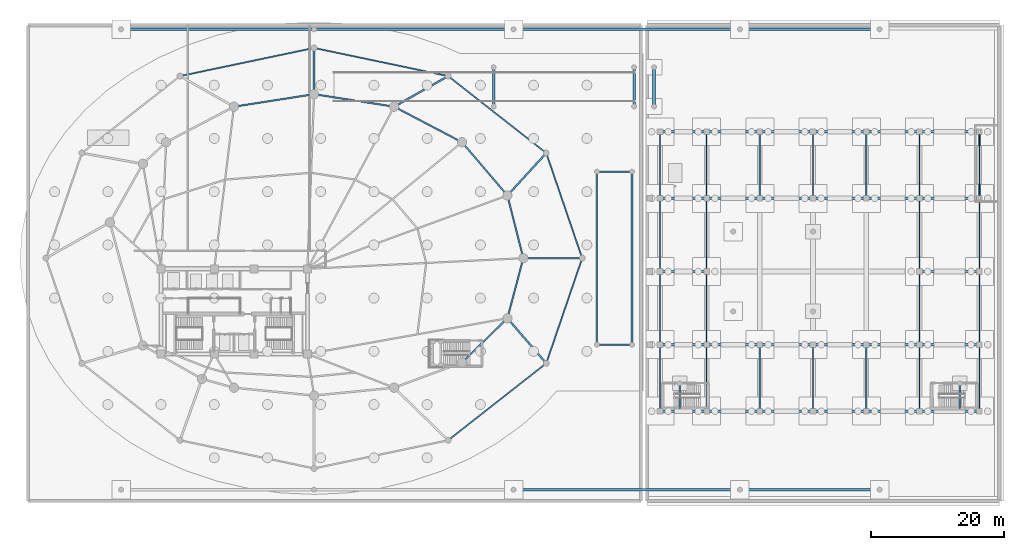
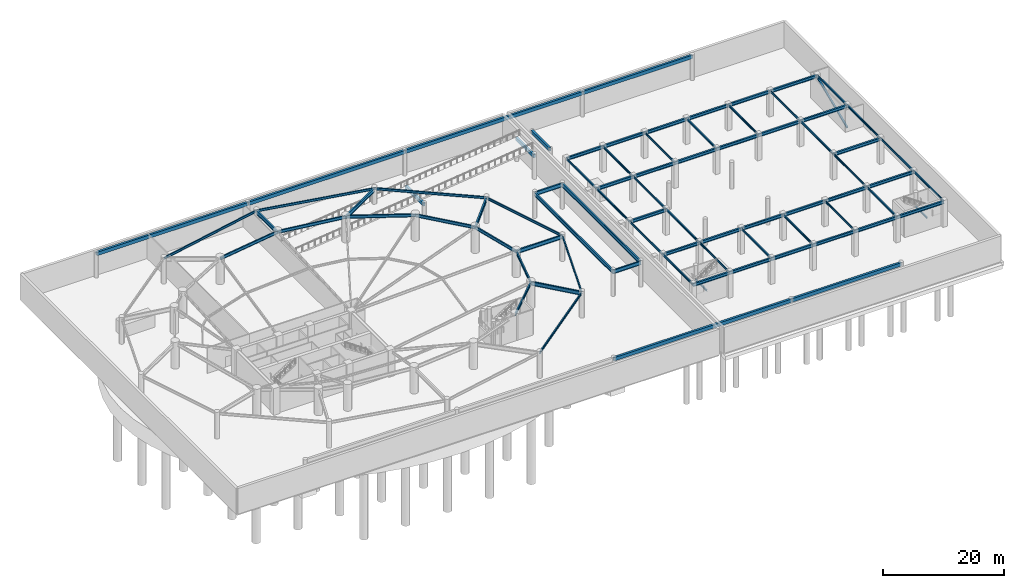
# One storey, part 4 of 22: 81 beams, 1 member.
"""IFC4 building model written with IfcOpenShell, lengths in metres."""

from ifc_helpers import new_model, si_unit, direction, frame, origin, origin_2d, place, context, subcontext, project, spatial, rectangle, hollow_rectangle, i_section, extrude, material, material_profile, profile_set, type_object, element, save


model = new_model("IFC4")

# Units and contexts
model_context = context("Model", 3, precision=1e-05, world=origin(), true_north=direction((0.0, 1.0)))
body_context = subcontext(model_context, "Body", "Model", "MODEL_VIEW")
ifc_project = project(units=[si_unit("LENGTHUNIT", "METRE"), si_unit("AREAUNIT", "SQUARE_METRE"), si_unit("VOLUMEUNIT", "CUBIC_METRE"), si_unit("PLANEANGLEUNIT", "RADIAN"), si_unit("MASSUNIT", "GRAM", prefix="KILO")], contexts=[model_context])

# Site, building, storey
site_placement = place(None, origin())
site = spatial("IfcSite", under=ifc_project, at=site_placement, CompositionType="ELEMENT")
building_placement = place(site_placement, origin())
building = spatial("IfcBuilding", under=site, at=building_placement, Name="Kazevale Care Tower and Concert Hall", CompositionType="ELEMENT")
storey_placement = place(building_placement, frame((0.0, 0.0, -5.39990234375)))
storey = spatial("IfcBuildingStorey", under=building, at=storey_placement, Name="B1", CompositionType="ELEMENT", Elevation=-5.39990234375)

# Beams
ifc_material_1 = material(Name="Concrete C50", Category="concrete")
ifc_material_profile_1 = material_profile(ifc_material_1, rectangle(XDim=0.39990234375, YDim=0.699951171875, at=origin_2d()), Name="RC-B400x700")
ifc_profile_set_1 = profile_set([ifc_material_profile_1], Name="Concrete C50")
beam_type_1 = type_object("IfcBeamType", Name="Basement Frame Beam RC400x700", PredefinedType="BEAM", material=ifc_profile_set_1)
beam_1_placement = place(storey_placement, frame((16.0, 72.39990234375, 4.699951171875), z_axis=(1.0, 0.0, 0.0), x_axis=(0.0, 1.0, 0.0)))
element("IfcBeam", 1, at=beam_1_placement, inside=storey, type_object=beam_type_1, Name="beam:B1:pavbeam:1_72", PredefinedType="BEAM", context=body_context, shape_type="SweptSolid", body=[
    extrude(rectangle(XDim=0.39990234375, YDim=0.699951171875, at=origin_2d()), origin(), (0.0, 0.0, 1.0), 29.0),
])
beam_2_placement = place(storey_placement, frame((45.0, 72.39990234375, 4.699951171875), z_axis=(1.0, 0.0, 0.0), x_axis=(0.0, 1.0, 0.0)))
element("IfcBeam", 2, at=beam_2_placement, inside=storey, type_object=beam_type_1, Name="beam:B1:pavbeam:2_72", PredefinedType="BEAM", context=body_context, shape_type="SweptSolid", body=[
    extrude(rectangle(XDim=0.39990234375, YDim=0.699951171875, at=origin_2d()), origin(), (0.0, 0.0, 1.0), 30.0),
])
for number, where, z_axis, x_axis, name in (
    (3, (75.0, 3.199951171875, 4.699951171875), (1.0, 0.0, 0.0), (0.0, 1.0, 0.0), "beam:B1:pavbeam:3_3"),
    (4, (75.0, 72.39990234375, 4.699951171875), (1.0, 0.0, 0.0), (0.0, 1.0, 0.0), "beam:B1:pavbeam:3_72"),
):
    element("IfcBeam", number, at=place(storey_placement, frame(where, z_axis=z_axis, x_axis=x_axis)), inside=storey, type_object=beam_type_1, Name=name, PredefinedType="BEAM", context=body_context, shape_type="SweptSolid", body=[
        extrude(rectangle(XDim=0.39990234375, YDim=0.699951171875, at=origin_2d()), origin(), (0.0, 0.0, 1.0), 34.0),
    ])
for number, where, z_axis, x_axis, name in (
    (5, (109.0, 3.199951171875, 4.699951171875), (1.0, 0.0, 0.0), (0.0, 1.0, 0.0), "beam:B1:pavbeam:4_3"),
    (6, (109.0, 72.39990234375, 4.699951171875), (1.0, 0.0, 0.0), (0.0, 1.0, 0.0), "beam:B1:pavbeam:4_72"),
):
    element("IfcBeam", number, at=place(storey_placement, frame(where, z_axis=z_axis, x_axis=x_axis)), inside=storey, type_object=beam_type_1, Name=name, PredefinedType="BEAM", context=body_context, shape_type="SweptSolid", body=[
        extrude(rectangle(XDim=0.39990234375, YDim=0.699951171875, at=origin_2d()), origin(), (0.0, 0.0, 1.0), 21.0),
    ])
for number, where, z_axis, x_axis, name in (
    (7, (72.0, 60.800048828125, 2.06982421875), (0.0, 1.0, 0.0), (-1.0, 0.0, 0.0), "beam:B1:rmpbeam:2"),
    (8, (93.10009765625, 60.800048828125, 4.44384765625), (0.0, 1.0, 0.0), (-1.0, 0.0, 0.0), "beam:B1:rmpbeam:3"),
    (9, (96.10009765625, 60.800048828125, 4.77001953125), (0.0, 1.0, 0.0), (-1.0, 0.0, 0.0), "beam:B1:rmpbeam:4"),
):
    element("IfcBeam", number, at=place(storey_placement, frame(where, z_axis=z_axis, x_axis=x_axis)), inside=storey, type_object=beam_type_1, Name=name, PredefinedType="BEAM", context=body_context, shape_type="SweptSolid", body=[
        extrude(rectangle(XDim=0.39990234375, YDim=0.699951171875, at=origin_2d()), origin(), (0.0, 0.0, 1.0), 5.89990234375),
    ])
ifc_material_2 = material(Name="Steel ASTM A572 Gr 50", Category="steel")
ifc_material_profile_2 = material_profile(ifc_material_2, i_section(OverallWidth=0.323974609375, OverallDepth=0.611083984375, WebThickness=0.0126953125, FlangeThickness=0.01904296875, at=origin_2d()), Name="W610x155")
ifc_profile_set_2 = profile_set([ifc_material_profile_2], Name="Steel ASTM A572 Gr 50")
beam_type_2 = type_object("IfcBeamType", Name="Concert Hall Frame Girder W610x155", PredefinedType="BEAM", material=ifc_profile_set_2)
beam_3_placement = place(storey_placement, frame((97.0, 15.0, 4.814453125), z_axis=(1.0, 0.0, 0.0), x_axis=(0.0, 1.0, 0.0)))
element("IfcBeam", 10, at=beam_3_placement, inside=storey, type_object=beam_type_2, Name="beam:B1:hx:97_15", PredefinedType="BEAM", context=body_context, shape_type="SweptSolid", body=[
    extrude(i_section(OverallWidth=0.323974609375, OverallDepth=0.611083984375, WebThickness=0.0126953125, FlangeThickness=0.01904296875, at=origin_2d()), origin(), (0.0, 0.0, 1.0), 7.0),
])
for number, where, z_axis, x_axis, name in (
    (11, (104.0, 15.0, 4.814453125), (1.0, 0.0, 0.0), (0.0, 1.0, 0.0), "beam:B1:hx:104_15"),
    (12, (112.0, 15.0, 4.814453125), (1.0, 0.0, 0.0), (0.0, 1.0, 0.0), "beam:B1:hx:112_15"),
    (13, (120.0, 15.0, 4.814453125), (1.0, 0.0, 0.0), (0.0, 1.0, 0.0), "beam:B1:hx:120_15"),
    (14, (128.0, 15.0, 4.814453125), (1.0, 0.0, 0.0), (0.0, 1.0, 0.0), "beam:B1:hx:128_15"),
):
    element("IfcBeam", number, at=place(storey_placement, frame(where, z_axis=z_axis, x_axis=x_axis)), inside=storey, type_object=beam_type_2, Name=name, PredefinedType="BEAM", context=body_context, shape_type="SweptSolid", body=[
        extrude(i_section(OverallWidth=0.323974609375, OverallDepth=0.611083984375, WebThickness=0.0126953125, FlangeThickness=0.01904296875, at=origin_2d()), origin(), (0.0, 0.0, 1.0), 8.0),
    ])
beam_4_placement = place(storey_placement, frame((136.0, 15.0, 4.814453125), z_axis=(1.0, 0.0, 0.0), x_axis=(0.0, 1.0, 0.0)))
element("IfcBeam", 15, at=beam_4_placement, inside=storey, type_object=beam_type_2, Name="beam:B1:hx:136_15", PredefinedType="BEAM", context=body_context, shape_type="SweptSolid", body=[
    extrude(i_section(OverallWidth=0.323974609375, OverallDepth=0.611083984375, WebThickness=0.0126953125, FlangeThickness=0.01904296875, at=origin_2d()), origin(), (0.0, 0.0, 1.0), 9.0),
])
beam_5_placement = place(storey_placement, frame((97.0, 25.0, 4.814453125), z_axis=(1.0, 0.0, 0.0), x_axis=(0.0, 1.0, 0.0)))
element("IfcBeam", 16, at=beam_5_placement, inside=storey, type_object=beam_type_2, Name="beam:B1:hx:97_25", PredefinedType="BEAM", context=body_context, shape_type="SweptSolid", body=[
    extrude(i_section(OverallWidth=0.323974609375, OverallDepth=0.611083984375, WebThickness=0.0126953125, FlangeThickness=0.01904296875, at=origin_2d()), origin(), (0.0, 0.0, 1.0), 7.0),
])
for number, where, z_axis, x_axis, name in (
    (17, (104.0, 25.0, 4.814453125), (1.0, 0.0, 0.0), (0.0, 1.0, 0.0), "beam:B1:hx:104_25"),
    (18, (112.0, 25.0, 4.814453125), (1.0, 0.0, 0.0), (0.0, 1.0, 0.0), "beam:B1:hx:112_25"),
    (19, (120.0, 25.0, 4.814453125), (1.0, 0.0, 0.0), (0.0, 1.0, 0.0), "beam:B1:hx:120_25"),
    (20, (128.0, 25.0, 4.814453125), (1.0, 0.0, 0.0), (0.0, 1.0, 0.0), "beam:B1:hx:128_25"),
):
    element("IfcBeam", number, at=place(storey_placement, frame(where, z_axis=z_axis, x_axis=x_axis)), inside=storey, type_object=beam_type_2, Name=name, PredefinedType="BEAM", context=body_context, shape_type="SweptSolid", body=[
        extrude(i_section(OverallWidth=0.323974609375, OverallDepth=0.611083984375, WebThickness=0.0126953125, FlangeThickness=0.01904296875, at=origin_2d()), origin(), (0.0, 0.0, 1.0), 8.0),
    ])
beam_6_placement = place(storey_placement, frame((136.0, 25.0, 4.814453125), z_axis=(1.0, 0.0, 0.0), x_axis=(0.0, 1.0, 0.0)))
element("IfcBeam", 21, at=beam_6_placement, inside=storey, type_object=beam_type_2, Name="beam:B1:hx:136_25", PredefinedType="BEAM", context=body_context, shape_type="SweptSolid", body=[
    extrude(i_section(OverallWidth=0.323974609375, OverallDepth=0.611083984375, WebThickness=0.0126953125, FlangeThickness=0.01904296875, at=origin_2d()), origin(), (0.0, 0.0, 1.0), 9.0),
])
beam_7_placement = place(storey_placement, frame((97.0, 36.0, 4.814453125), z_axis=(1.0, 0.0, 0.0), x_axis=(0.0, 1.0, 0.0)))
element("IfcBeam", 22, at=beam_7_placement, inside=storey, type_object=beam_type_2, Name="beam:B1:hx:97_36", PredefinedType="BEAM", context=body_context, shape_type="SweptSolid", body=[
    extrude(i_section(OverallWidth=0.323974609375, OverallDepth=0.611083984375, WebThickness=0.0126953125, FlangeThickness=0.01904296875, at=origin_2d()), origin(), (0.0, 0.0, 1.0), 7.0),
])
beam_8_placement = place(storey_placement, frame((136.0, 36.0, 4.814453125), z_axis=(1.0, 0.0, 0.0), x_axis=(0.0, 1.0, 0.0)))
element("IfcBeam", 23, at=beam_8_placement, inside=storey, type_object=beam_type_2, Name="beam:B1:hx:136_36", PredefinedType="BEAM", context=body_context, shape_type="SweptSolid", body=[
    extrude(i_section(OverallWidth=0.323974609375, OverallDepth=0.611083984375, WebThickness=0.0126953125, FlangeThickness=0.01904296875, at=origin_2d()), origin(), (0.0, 0.0, 1.0), 9.0),
])
beam_9_placement = place(storey_placement, frame((97.0, 47.0, 4.814453125), z_axis=(1.0, 0.0, 0.0), x_axis=(0.0, 1.0, 0.0)))
element("IfcBeam", 24, at=beam_9_placement, inside=storey, type_object=beam_type_2, Name="beam:B1:hx:97_47", PredefinedType="BEAM", context=body_context, shape_type="SweptSolid", body=[
    extrude(i_section(OverallWidth=0.323974609375, OverallDepth=0.611083984375, WebThickness=0.0126953125, FlangeThickness=0.01904296875, at=origin_2d()), origin(), (0.0, 0.0, 1.0), 7.0),
])
for number, where, z_axis, x_axis, name in (
    (25, (104.0, 47.0, 4.814453125), (1.0, 0.0, 0.0), (0.0, 1.0, 0.0), "beam:B1:hx:104_47"),
    (26, (112.0, 47.0, 4.814453125), (1.0, 0.0, 0.0), (0.0, 1.0, 0.0), "beam:B1:hx:112_47"),
    (27, (120.0, 47.0, 4.814453125), (1.0, 0.0, 0.0), (0.0, 1.0, 0.0), "beam:B1:hx:120_47"),
    (28, (128.0, 47.0, 4.814453125), (1.0, 0.0, 0.0), (0.0, 1.0, 0.0), "beam:B1:hx:128_47"),
):
    element("IfcBeam", number, at=place(storey_placement, frame(where, z_axis=z_axis, x_axis=x_axis)), inside=storey, type_object=beam_type_2, Name=name, PredefinedType="BEAM", context=body_context, shape_type="SweptSolid", body=[
        extrude(i_section(OverallWidth=0.323974609375, OverallDepth=0.611083984375, WebThickness=0.0126953125, FlangeThickness=0.01904296875, at=origin_2d()), origin(), (0.0, 0.0, 1.0), 8.0),
    ])
beam_10_placement = place(storey_placement, frame((136.0, 47.0, 4.814453125), z_axis=(1.0, 0.0, 0.0), x_axis=(0.0, 1.0, 0.0)))
element("IfcBeam", 29, at=beam_10_placement, inside=storey, type_object=beam_type_2, Name="beam:B1:hx:136_47", PredefinedType="BEAM", context=body_context, shape_type="SweptSolid", body=[
    extrude(i_section(OverallWidth=0.323974609375, OverallDepth=0.611083984375, WebThickness=0.0126953125, FlangeThickness=0.01904296875, at=origin_2d()), origin(), (0.0, 0.0, 1.0), 9.0),
])
beam_11_placement = place(storey_placement, frame((97.0, 57.0, 4.814453125), z_axis=(1.0, 0.0, 0.0), x_axis=(0.0, 1.0, 0.0)))
element("IfcBeam", 30, at=beam_11_placement, inside=storey, type_object=beam_type_2, Name="beam:B1:hx:97_57", PredefinedType="BEAM", context=body_context, shape_type="SweptSolid", body=[
    extrude(i_section(OverallWidth=0.323974609375, OverallDepth=0.611083984375, WebThickness=0.0126953125, FlangeThickness=0.01904296875, at=origin_2d()), origin(), (0.0, 0.0, 1.0), 7.0),
])
for number, where, z_axis, x_axis, name in (
    (31, (104.0, 57.0, 4.814453125), (1.0, 0.0, 0.0), (0.0, 1.0, 0.0), "beam:B1:hx:104_57"),
    (32, (112.0, 57.0, 4.814453125), (1.0, 0.0, 0.0), (0.0, 1.0, 0.0), "beam:B1:hx:112_57"),
    (33, (120.0, 57.0, 4.814453125), (1.0, 0.0, 0.0), (0.0, 1.0, 0.0), "beam:B1:hx:120_57"),
    (34, (128.0, 57.0, 4.814453125), (1.0, 0.0, 0.0), (0.0, 1.0, 0.0), "beam:B1:hx:128_57"),
):
    element("IfcBeam", number, at=place(storey_placement, frame(where, z_axis=z_axis, x_axis=x_axis)), inside=storey, type_object=beam_type_2, Name=name, PredefinedType="BEAM", context=body_context, shape_type="SweptSolid", body=[
        extrude(i_section(OverallWidth=0.323974609375, OverallDepth=0.611083984375, WebThickness=0.0126953125, FlangeThickness=0.01904296875, at=origin_2d()), origin(), (0.0, 0.0, 1.0), 8.0),
    ])
beam_12_placement = place(storey_placement, frame((136.0, 57.0, 4.814453125), z_axis=(1.0, 0.0, 0.0), x_axis=(0.0, 1.0, 0.0)))
element("IfcBeam", 35, at=beam_12_placement, inside=storey, type_object=beam_type_2, Name="beam:B1:hx:136_57", PredefinedType="BEAM", context=body_context, shape_type="SweptSolid", body=[
    extrude(i_section(OverallWidth=0.323974609375, OverallDepth=0.611083984375, WebThickness=0.0126953125, FlangeThickness=0.01904296875, at=origin_2d()), origin(), (0.0, 0.0, 1.0), 9.0),
])
ifc_material_profile_3 = material_profile(ifc_material_2, i_section(OverallWidth=0.180908203125, OverallDepth=0.4169921875, WebThickness=0.010986328125, FlangeThickness=0.018310546875, at=origin_2d()), Name="W410x85")
ifc_profile_set_3 = profile_set([ifc_material_profile_3], Name="Steel ASTM A572 Gr 50")
beam_type_3 = type_object("IfcBeamType", Name="Concert Hall Secondary Beam W410x85", PredefinedType="BEAM", material=ifc_profile_set_3)
beam_13_placement = place(storey_placement, frame((97.0, 15.0, 4.911376953125), z_axis=(0.0, 1.0, 0.0), x_axis=(-1.0, 0.0, 0.0)))
element("IfcBeam", 36, at=beam_13_placement, inside=storey, type_object=beam_type_3, Name="beam:B1:hy:97_15", PredefinedType="BEAM", context=body_context, shape_type="SweptSolid", body=[
    extrude(i_section(OverallWidth=0.180908203125, OverallDepth=0.4169921875, WebThickness=0.010986328125, FlangeThickness=0.018310546875, at=origin_2d()), origin(), (0.0, 0.0, 1.0), 10.0),
])
for number, where, z_axis, x_axis, name in (
    (37, (97.0, 25.0, 4.911376953125), (0.0, 1.0, 0.0), (-1.0, 0.0, 0.0), "beam:B1:hy:97_25"),
    (38, (97.0, 36.0, 4.911376953125), (0.0, 1.0, 0.0), (-1.0, 0.0, 0.0), "beam:B1:hy:97_36"),
):
    element("IfcBeam", number, at=place(storey_placement, frame(where, z_axis=z_axis, x_axis=x_axis)), inside=storey, type_object=beam_type_3, Name=name, PredefinedType="BEAM", context=body_context, shape_type="SweptSolid", body=[
        extrude(i_section(OverallWidth=0.180908203125, OverallDepth=0.4169921875, WebThickness=0.010986328125, FlangeThickness=0.018310546875, at=origin_2d()), origin(), (0.0, 0.0, 1.0), 11.0),
    ])
for number, where, z_axis, x_axis, name in (
    (39, (97.0, 47.0, 4.911376953125), (0.0, 1.0, 0.0), (-1.0, 0.0, 0.0), "beam:B1:hy:97_47"),
    (40, (104.0, 15.0, 4.911376953125), (0.0, 1.0, 0.0), (-1.0, 0.0, 0.0), "beam:B1:hy:104_15"),
):
    element("IfcBeam", number, at=place(storey_placement, frame(where, z_axis=z_axis, x_axis=x_axis)), inside=storey, type_object=beam_type_3, Name=name, PredefinedType="BEAM", context=body_context, shape_type="SweptSolid", body=[
        extrude(i_section(OverallWidth=0.180908203125, OverallDepth=0.4169921875, WebThickness=0.010986328125, FlangeThickness=0.018310546875, at=origin_2d()), origin(), (0.0, 0.0, 1.0), 10.0),
    ])
for number, where, z_axis, x_axis, name in (
    (41, (104.0, 25.0, 4.911376953125), (0.0, 1.0, 0.0), (-1.0, 0.0, 0.0), "beam:B1:hy:104_25"),
    (42, (104.0, 36.0, 4.911376953125), (0.0, 1.0, 0.0), (-1.0, 0.0, 0.0), "beam:B1:hy:104_36"),
):
    element("IfcBeam", number, at=place(storey_placement, frame(where, z_axis=z_axis, x_axis=x_axis)), inside=storey, type_object=beam_type_3, Name=name, PredefinedType="BEAM", context=body_context, shape_type="SweptSolid", body=[
        extrude(i_section(OverallWidth=0.180908203125, OverallDepth=0.4169921875, WebThickness=0.010986328125, FlangeThickness=0.018310546875, at=origin_2d()), origin(), (0.0, 0.0, 1.0), 11.0),
    ])
for number, where, z_axis, x_axis, name in (
    (43, (104.0, 47.0, 4.911376953125), (0.0, 1.0, 0.0), (-1.0, 0.0, 0.0), "beam:B1:hy:104_47"),
    (44, (112.0, 15.0, 4.911376953125), (0.0, 1.0, 0.0), (-1.0, 0.0, 0.0), "beam:B1:hy:112_15"),
    (45, (112.0, 47.0, 4.911376953125), (0.0, 1.0, 0.0), (-1.0, 0.0, 0.0), "beam:B1:hy:112_47"),
    (46, (120.0, 15.0, 4.911376953125), (0.0, 1.0, 0.0), (-1.0, 0.0, 0.0), "beam:B1:hy:120_15"),
    (47, (120.0, 47.0, 4.911376953125), (0.0, 1.0, 0.0), (-1.0, 0.0, 0.0), "beam:B1:hy:120_47"),
    (48, (128.0, 15.0, 4.911376953125), (0.0, 1.0, 0.0), (-1.0, 0.0, 0.0), "beam:B1:hy:128_15"),
    (49, (128.0, 47.0, 4.911376953125), (0.0, 1.0, 0.0), (-1.0, 0.0, 0.0), "beam:B1:hy:128_47"),
    (50, (136.0, 15.0, 4.911376953125), (0.0, 1.0, 0.0), (-1.0, 0.0, 0.0), "beam:B1:hy:136_15"),
):
    element("IfcBeam", number, at=place(storey_placement, frame(where, z_axis=z_axis, x_axis=x_axis)), inside=storey, type_object=beam_type_3, Name=name, PredefinedType="BEAM", context=body_context, shape_type="SweptSolid", body=[
        extrude(i_section(OverallWidth=0.180908203125, OverallDepth=0.4169921875, WebThickness=0.010986328125, FlangeThickness=0.018310546875, at=origin_2d()), origin(), (0.0, 0.0, 1.0), 10.0),
    ])
for number, where, z_axis, x_axis, name in (
    (51, (136.0, 25.0, 4.911376953125), (0.0, 1.0, 0.0), (-1.0, 0.0, 0.0), "beam:B1:hy:136_25"),
    (52, (136.0, 36.0, 4.911376953125), (0.0, 1.0, 0.0), (-1.0, 0.0, 0.0), "beam:B1:hy:136_36"),
):
    element("IfcBeam", number, at=place(storey_placement, frame(where, z_axis=z_axis, x_axis=x_axis)), inside=storey, type_object=beam_type_3, Name=name, PredefinedType="BEAM", context=body_context, shape_type="SweptSolid", body=[
        extrude(i_section(OverallWidth=0.180908203125, OverallDepth=0.4169921875, WebThickness=0.010986328125, FlangeThickness=0.018310546875, at=origin_2d()), origin(), (0.0, 0.0, 1.0), 11.0),
    ])
for number, where, z_axis, x_axis, name in (
    (53, (136.0, 47.0, 4.911376953125), (0.0, 1.0, 0.0), (-1.0, 0.0, 0.0), "beam:B1:hy:136_47"),
    (54, (145.0, 15.0, 4.911376953125), (0.0, 1.0, 0.0), (-1.0, 0.0, 0.0), "beam:B1:hy:145_15"),
):
    element("IfcBeam", number, at=place(storey_placement, frame(where, z_axis=z_axis, x_axis=x_axis)), inside=storey, type_object=beam_type_3, Name=name, PredefinedType="BEAM", context=body_context, shape_type="SweptSolid", body=[
        extrude(i_section(OverallWidth=0.180908203125, OverallDepth=0.4169921875, WebThickness=0.010986328125, FlangeThickness=0.018310546875, at=origin_2d()), origin(), (0.0, 0.0, 1.0), 10.0),
    ])
for number, where, z_axis, x_axis, name in (
    (55, (145.0, 25.0, 4.911376953125), (0.0, 1.0, 0.0), (-1.0, 0.0, 0.0), "beam:B1:hy:145_25"),
    (56, (145.0, 36.0, 4.911376953125), (0.0, 1.0, 0.0), (-1.0, 0.0, 0.0), "beam:B1:hy:145_36"),
):
    element("IfcBeam", number, at=place(storey_placement, frame(where, z_axis=z_axis, x_axis=x_axis)), inside=storey, type_object=beam_type_3, Name=name, PredefinedType="BEAM", context=body_context, shape_type="SweptSolid", body=[
        extrude(i_section(OverallWidth=0.180908203125, OverallDepth=0.4169921875, WebThickness=0.010986328125, FlangeThickness=0.018310546875, at=origin_2d()), origin(), (0.0, 0.0, 1.0), 11.0),
    ])
beam_14_placement = place(storey_placement, frame((145.0, 47.0, 4.911376953125), z_axis=(0.0, 1.0, 0.0), x_axis=(-1.0, 0.0, 0.0)))
element("IfcBeam", 57, at=beam_14_placement, inside=storey, type_object=beam_type_3, Name="beam:B1:hy:145_47", PredefinedType="BEAM", context=body_context, shape_type="SweptSolid", body=[
    extrude(i_section(OverallWidth=0.180908203125, OverallDepth=0.4169921875, WebThickness=0.010986328125, FlangeThickness=0.018310546875, at=origin_2d()), origin(), (0.0, 0.0, 1.0), 10.0),
])

# Member
ifc_material_profile_4 = material_profile(ifc_material_2, hollow_rectangle(XDim=0.300048828125, YDim=0.300048828125, WallThickness=0.02001953125, at=origin_2d()), Name="SHS300x300x20")
ifc_profile_set_4 = profile_set([ifc_material_profile_4], Name="Steel ASTM A572 Gr 50")
member_type = type_object("IfcMemberType", Name="Concert Hall Wall Brace SHS300x300x20", PredefinedType="BRACE", material=ifc_profile_set_4)
member_placement = place(storey_placement, frame((145.0, 47.0, 0.39990234375), z_axis=(0.0, 0.921323877928, 0.388795977294), x_axis=(-1.0, 0.0, 0.0)))
element("IfcMember", 58, at=member_placement, inside=storey, type_object=member_type, Name="brace:B1:hwW", PredefinedType="BRACE", context=body_context, shape_type="SweptSolid", body=[
    extrude(hollow_rectangle(XDim=0.300048828125, YDim=0.300048828125, WallThickness=0.02001953125, at=origin_2d()), origin(), (0.0, 0.0, 1.0), 10.85400390625),
])

# Beams
ifc_material_profile_5 = material_profile(ifc_material_2, i_section(OverallWidth=0.194091796875, OverallDepth=0.468994140625, WebThickness=0.0126953125, FlangeThickness=0.0205078125, at=origin_2d()), Name="W460x106")
ifc_profile_set_5 = profile_set([ifc_material_profile_5], Name="Steel ASTM A572 Gr 50")
beam_type_4 = type_object("IfcBeamType", Name="Podium Floor Beam W460x106", PredefinedType="BEAM", material=ifc_profile_set_5)
beam_15_placement = place(storey_placement, frame((85.300048828125, 38.0, 4.885498046875), z_axis=(-0.323412440773, 0.946258100707, 0.0), x_axis=(-0.946258100707, -0.323412440773, 0.0)))
element("IfcBeam", 59, at=beam_15_placement, inside=storey, type_object=beam_type_4, Name="beam:B1:podring:01", PredefinedType="BEAM", context=body_context, shape_type="SweptSolid", body=[
    extrude(i_section(OverallWidth=0.194091796875, OverallDepth=0.468994140625, WebThickness=0.0126953125, FlangeThickness=0.0205078125, at=origin_2d()), origin(), (0.0, 0.0, 1.0), 16.697509765625),
])
beam_16_placement = place(storey_placement, frame((79.89990234375, 53.800048828125, 4.885498046875), z_axis=(-0.786816091325, 0.617187522907, 0.0), x_axis=(-0.617187522907, -0.786816091325, 0.0)))
element("IfcBeam", 60, at=beam_16_placement, inside=storey, type_object=beam_type_4, Name="beam:B1:podring:02", PredefinedType="BEAM", context=body_context, shape_type="SweptSolid", body=[
    extrude(i_section(OverallWidth=0.194091796875, OverallDepth=0.468994140625, WebThickness=0.0126953125, FlangeThickness=0.0205078125, at=origin_2d()), origin(), (0.0, 0.0, 1.0), 18.746337890625),
])
for number, where, z_axis, x_axis, name in (
    (61, (65.14990234375, 65.3701171875, 4.885498046875), (-0.978668137727, 0.205447502293, 0.0), (-0.205447502293, -0.978668137727, 0.0), "beam:B1:podring:03"),
    (62, (45.0, 69.60009765625, 4.885498046875), (-0.978668137727, -0.205447502293, 0.0), (0.205447502293, -0.978668137727, 0.0), "beam:B1:podring:04"),
):
    element("IfcBeam", number, at=place(storey_placement, frame(where, z_axis=z_axis, x_axis=x_axis)), inside=storey, type_object=beam_type_4, Name=name, PredefinedType="BEAM", context=body_context, shape_type="SweptSolid", body=[
        extrude(i_section(OverallWidth=0.194091796875, OverallDepth=0.468994140625, WebThickness=0.0126953125, FlangeThickness=0.0205078125, at=origin_2d()), origin(), (0.0, 0.0, 1.0), 20.589111328125),
    ])
beam_17_placement = place(storey_placement, frame((65.14990234375, 10.6298828125, 4.885498046875), z_axis=(0.786816091325, 0.617187522907, 0.0), x_axis=(-0.617187522907, 0.786816091325, 0.0)))
element("IfcBeam", 63, at=beam_17_placement, inside=storey, type_object=beam_type_4, Name="beam:B1:podring:11", PredefinedType="BEAM", context=body_context, shape_type="SweptSolid", body=[
    extrude(i_section(OverallWidth=0.194091796875, OverallDepth=0.468994140625, WebThickness=0.0126953125, FlangeThickness=0.0205078125, at=origin_2d()), origin(), (0.0, 0.0, 1.0), 18.746337890625),
])
beam_18_placement = place(storey_placement, frame((79.89990234375, 22.199951171875, 4.885498046875), z_axis=(0.323412440773, 0.946258100707, 0.0), x_axis=(-0.946258100707, 0.323412440773, 0.0)))
element("IfcBeam", 64, at=beam_18_placement, inside=storey, type_object=beam_type_4, Name="beam:B1:podring:12", PredefinedType="BEAM", context=body_context, shape_type="SweptSolid", body=[
    extrude(i_section(OverallWidth=0.194091796875, OverallDepth=0.468994140625, WebThickness=0.0126953125, FlangeThickness=0.0205078125, at=origin_2d()), origin(), (0.0, 0.0, 1.0), 16.697509765625),
])
ifc_material_profile_6 = material_profile(ifc_material_2, i_section(OverallWidth=0.26806640625, OverallDepth=0.77001953125, WebThickness=0.015625, FlangeThickness=0.025390625, at=origin_2d()), Name="W760x196")
ifc_profile_set_6 = profile_set([ifc_material_profile_6], Name="Steel ASTM A572 Gr 50")
beam_type_5 = type_object("IfcBeamType", Name="Podium Primary Girder W760x196", PredefinedType="BEAM", material=ifc_profile_set_6)
beam_19_placement = place(storey_placement, frame((87.5, 25.0, 4.724853515625), z_axis=(1.0, 0.0, 0.0), x_axis=(0.0, 1.0, 0.0)))
element("IfcBeam", 65, at=beam_19_placement, inside=storey, type_object=beam_type_5, Name="beam:B1:gbox:1", PredefinedType="BEAM", context=body_context, shape_type="SweptSolid", body=[
    extrude(i_section(OverallWidth=0.26806640625, OverallDepth=0.77001953125, WebThickness=0.015625, FlangeThickness=0.025390625, at=origin_2d()), origin(), (0.0, 0.0, 1.0), 5.300048828125),
])
beam_20_placement = place(storey_placement, frame((92.800048828125, 25.0, 4.724853515625), z_axis=(0.0, 1.0, 0.0), x_axis=(-1.0, 0.0, 0.0)))
element("IfcBeam", 66, at=beam_20_placement, inside=storey, type_object=beam_type_5, Name="beam:B1:gbox:2", PredefinedType="BEAM", context=body_context, shape_type="SweptSolid", body=[
    extrude(i_section(OverallWidth=0.26806640625, OverallDepth=0.77001953125, WebThickness=0.015625, FlangeThickness=0.025390625, at=origin_2d()), origin(), (0.0, 0.0, 1.0), 26.0),
])
beam_21_placement = place(storey_placement, frame((92.800048828125, 51.0, 4.724853515625), z_axis=(-1.0, 0.0, 0.0), x_axis=(0.0, -1.0, 0.0)))
element("IfcBeam", 67, at=beam_21_placement, inside=storey, type_object=beam_type_5, Name="beam:B1:gbox:3", PredefinedType="BEAM", context=body_context, shape_type="SweptSolid", body=[
    extrude(i_section(OverallWidth=0.26806640625, OverallDepth=0.77001953125, WebThickness=0.015625, FlangeThickness=0.025390625, at=origin_2d()), origin(), (0.0, 0.0, 1.0), 5.300048828125),
])
beam_22_placement = place(storey_placement, frame((87.5, 51.0, 4.724853515625), z_axis=(0.0, -1.0, 0.0), x_axis=(1.0, 0.0, 0.0)))
element("IfcBeam", 68, at=beam_22_placement, inside=storey, type_object=beam_type_5, Name="beam:B1:gbox:4", PredefinedType="BEAM", context=body_context, shape_type="SweptSolid", body=[
    extrude(i_section(OverallWidth=0.26806640625, OverallDepth=0.77001953125, WebThickness=0.015625, FlangeThickness=0.025390625, at=origin_2d()), origin(), (0.0, 0.0, 1.0), 26.0),
])
beam_23_placement = place(storey_placement, frame((76.449951171875, 38.0, 4.73486328125), z_axis=(1.0, 0.0, 0.0), x_axis=(0.0, 1.0, 0.0)))
element("IfcBeam", 69, at=beam_23_placement, inside=storey, type_object=beam_type_5, Name="beam:B1:podrad:01", PredefinedType="BEAM", context=body_context, shape_type="SweptSolid", body=[
    extrude(i_section(OverallWidth=0.26806640625, OverallDepth=0.77001953125, WebThickness=0.015625, FlangeThickness=0.025390625, at=origin_2d()), origin(), (0.0, 0.0, 1.0), 8.85009765625),
])
beam_24_placement = place(storey_placement, frame((74.06005859375, 47.429931640625, 4.73486328125), z_axis=(0.675760447671, 0.737121304375, 0.0), x_axis=(-0.737121304375, 0.675760447671, 0.0)))
element("IfcBeam", 70, at=beam_24_placement, inside=storey, type_object=beam_type_5, Name="beam:B1:podrad:02", PredefinedType="BEAM", context=body_context, shape_type="SweptSolid", body=[
    extrude(i_section(OverallWidth=0.26806640625, OverallDepth=0.77001953125, WebThickness=0.015625, FlangeThickness=0.025390625, at=origin_2d()), origin(), (0.0, 0.0, 1.0), 8.641845703125),
])
beam_25_placement = place(storey_placement, frame((57.0400390625, 60.77001953125, 4.73486328125), z_axis=(0.869814698665, 0.493378546338, 0.0), x_axis=(-0.493378546338, 0.869814698665, 0.0)))
element("IfcBeam", 71, at=beam_25_placement, inside=storey, type_object=beam_type_5, Name="beam:B1:podrad:03", PredefinedType="BEAM", context=body_context, shape_type="SweptSolid", body=[
    extrude(i_section(OverallWidth=0.26806640625, OverallDepth=0.77001953125, WebThickness=0.015625, FlangeThickness=0.025390625, at=origin_2d()), origin(), (0.0, 0.0, 1.0), 9.32373046875),
])
beam_26_placement = place(storey_placement, frame((45.0, 62.64990234375, 4.73486328125), z_axis=(0.0, 1.0, 0.0), x_axis=(-1.0, 0.0, 0.0)))
element("IfcBeam", 72, at=beam_26_placement, inside=storey, type_object=beam_type_5, Name="beam:B1:podrad:04", PredefinedType="BEAM", context=body_context, shape_type="SweptSolid", body=[
    extrude(i_section(OverallWidth=0.26806640625, OverallDepth=0.77001953125, WebThickness=0.015625, FlangeThickness=0.025390625, at=origin_2d()), origin(), (0.0, 0.0, 1.0), 6.9501953125),
])
beam_27_placement = place(storey_placement, frame((74.06005859375, 28.969970703125, 4.73486328125), z_axis=(0.653171864392, -0.757209690618, 0.0), x_axis=(0.757209690618, 0.653171864392, 0.0)))
element("IfcBeam", 73, at=beam_27_placement, inside=storey, type_object=beam_type_5, Name="beam:B1:podrad:12", PredefinedType="BEAM", context=body_context, shape_type="SweptSolid", body=[
    extrude(i_section(OverallWidth=0.26806640625, OverallDepth=0.77001953125, WebThickness=0.015625, FlangeThickness=0.025390625, at=origin_2d()), origin(), (0.0, 0.0, 1.0), 8.940673828125),
])
ifc_material_profile_7 = material_profile(ifc_material_2, i_section(OverallWidth=0.22900390625, OverallDepth=0.612060546875, WebThickness=0.011962890625, FlangeThickness=0.01953125, at=origin_2d()), Name="W610x125")
ifc_profile_set_7 = profile_set([ifc_material_profile_7], Name="Steel ASTM A572 Gr 50")
beam_type_6 = type_object("IfcBeamType", Name="Ring Spandrel Beam W610x125", PredefinedType="SPANDREL", material=ifc_profile_set_7)
beam_28_placement = place(storey_placement, frame((76.449951171875, 38.0, 4.81396484375), z_axis=(-0.245669948409, 0.969353535326, 0.0), x_axis=(-0.969353535326, -0.245669948409, 0.0)))
element("IfcBeam", 74, at=beam_28_placement, inside=storey, type_object=beam_type_6, Name="beam:B1:ring:01", PredefinedType="SPANDREL", context=body_context, shape_type="SweptSolid", body=[
    extrude(i_section(OverallWidth=0.22900390625, OverallDepth=0.612060546875, WebThickness=0.011962890625, FlangeThickness=0.01953125, at=origin_2d()), origin(), (0.0, 0.0, 1.0), 9.72802734375),
])
beam_29_placement = place(storey_placement, frame((74.06005859375, 47.429931640625, 4.81396484375), z_axis=(-0.648756004283, 0.760996482848, 0.0), x_axis=(-0.760996482848, -0.648756004283, 0.0)))
element("IfcBeam", 75, at=beam_29_placement, inside=storey, type_object=beam_type_6, Name="beam:B1:ring:02", PredefinedType="SPANDREL", context=body_context, shape_type="SweptSolid", body=[
    extrude(i_section(OverallWidth=0.22900390625, OverallDepth=0.612060546875, WebThickness=0.011962890625, FlangeThickness=0.01953125, at=origin_2d()), origin(), (0.0, 0.0, 1.0), 10.512451171875),
])
beam_30_placement = place(storey_placement, frame((67.239990234375, 55.429931640625, 4.81396484375), z_axis=(-0.885929466679, 0.463819986708, 0.0), x_axis=(-0.463819986708, -0.885929466679, 0.0)))
element("IfcBeam", 76, at=beam_30_placement, inside=storey, type_object=beam_type_6, Name="beam:B1:ring:03", PredefinedType="SPANDREL", context=body_context, shape_type="SweptSolid", body=[
    extrude(i_section(OverallWidth=0.22900390625, OverallDepth=0.612060546875, WebThickness=0.011962890625, FlangeThickness=0.01953125, at=origin_2d()), origin(), (0.0, 0.0, 1.0), 11.51318359375),
])
for number, where, z_axis, x_axis, name in (
    (77, (57.0400390625, 60.77001953125, 4.81396484375), (-0.988029216561, 0.154266870134, 0.0), (-0.154266870134, -0.988029216561, 0.0), "beam:B1:ring:04"),
    (78, (45.0, 62.64990234375, 4.81396484375), (-0.988029216561, -0.154266870134, 0.0), (0.154266870134, -0.988029216561, 0.0), "beam:B1:ring:05"),
):
    element("IfcBeam", number, at=place(storey_placement, frame(where, z_axis=z_axis, x_axis=x_axis)), inside=storey, type_object=beam_type_6, Name=name, PredefinedType="SPANDREL", context=body_context, shape_type="SweptSolid", body=[
        extrude(i_section(OverallWidth=0.22900390625, OverallDepth=0.612060546875, WebThickness=0.011962890625, FlangeThickness=0.01953125, at=origin_2d()), origin(), (0.0, 0.0, 1.0), 12.18603515625),
    ])
beam_31_placement = place(storey_placement, frame((67.239990234375, 22.31005859375, 4.81396484375), z_axis=(0.715457453508, 0.698656304788, 0.0), x_axis=(-0.698656304788, 0.715457453508, 0.0)))
element("IfcBeam", 79, at=beam_31_placement, inside=storey, type_object=beam_type_6, Name="beam:B1:ring:15", PredefinedType="SPANDREL", context=body_context, shape_type="SweptSolid", body=[
    extrude(i_section(OverallWidth=0.22900390625, OverallDepth=0.612060546875, WebThickness=0.011962890625, FlangeThickness=0.01953125, at=origin_2d()), origin(), (0.0, 0.0, 1.0), 9.532470703125),
])
beam_32_placement = place(storey_placement, frame((74.06005859375, 28.969970703125, 4.81396484375), z_axis=(0.255851611973, 0.966716066201, 0.0), x_axis=(-0.966716066201, 0.255851611973, 0.0)))
element("IfcBeam", 80, at=beam_32_placement, inside=storey, type_object=beam_type_6, Name="beam:B1:ring:16", PredefinedType="SPANDREL", context=body_context, shape_type="SweptSolid", body=[
    extrude(i_section(OverallWidth=0.22900390625, OverallDepth=0.612060546875, WebThickness=0.011962890625, FlangeThickness=0.01953125, at=origin_2d()), origin(), (0.0, 0.0, 1.0), 9.3408203125),
])
ifc_material_profile_8 = material_profile(ifc_material_2, i_section(OverallWidth=0.202880859375, OverallDepth=0.302978515625, WebThickness=0.007568359375, FlangeThickness=0.01318359375, at=origin_2d()), Name="W310x60")
ifc_profile_set_8 = profile_set([ifc_material_profile_8], Name="Steel ASTM A572 Gr 50")
beam_type_7 = type_object("IfcBeamType", Name="Stair & Balcony Trimmer W310x60", PredefinedType="BEAM", material=ifc_profile_set_8)
for number, where, z_axis, x_axis, name in (
    (81, (99.949951171875, 15.39990234375, 2.348388671875), (0.0, 1.0, 0.0), (-1.0, 0.0, 0.0), "beam:B1:ST4:trim:1"),
    (82, (142.050048828125, 15.39990234375, 2.348388671875), (0.0, 1.0, 0.0), (-1.0, 0.0, 0.0), "beam:B1:ST5:trim:1"),
):
    element("IfcBeam", number, at=place(storey_placement, frame(where, z_axis=z_axis, x_axis=x_axis)), inside=storey, type_object=beam_type_7, Name=name, PredefinedType="BEAM", context=body_context, shape_type="SweptSolid", body=[
        extrude(i_section(OverallWidth=0.202880859375, OverallDepth=0.302978515625, WebThickness=0.007568359375, FlangeThickness=0.01318359375, at=origin_2d()), origin(), (0.0, 0.0, 1.0), 3.800048828125),
    ])

save(model, "model.ifc")
